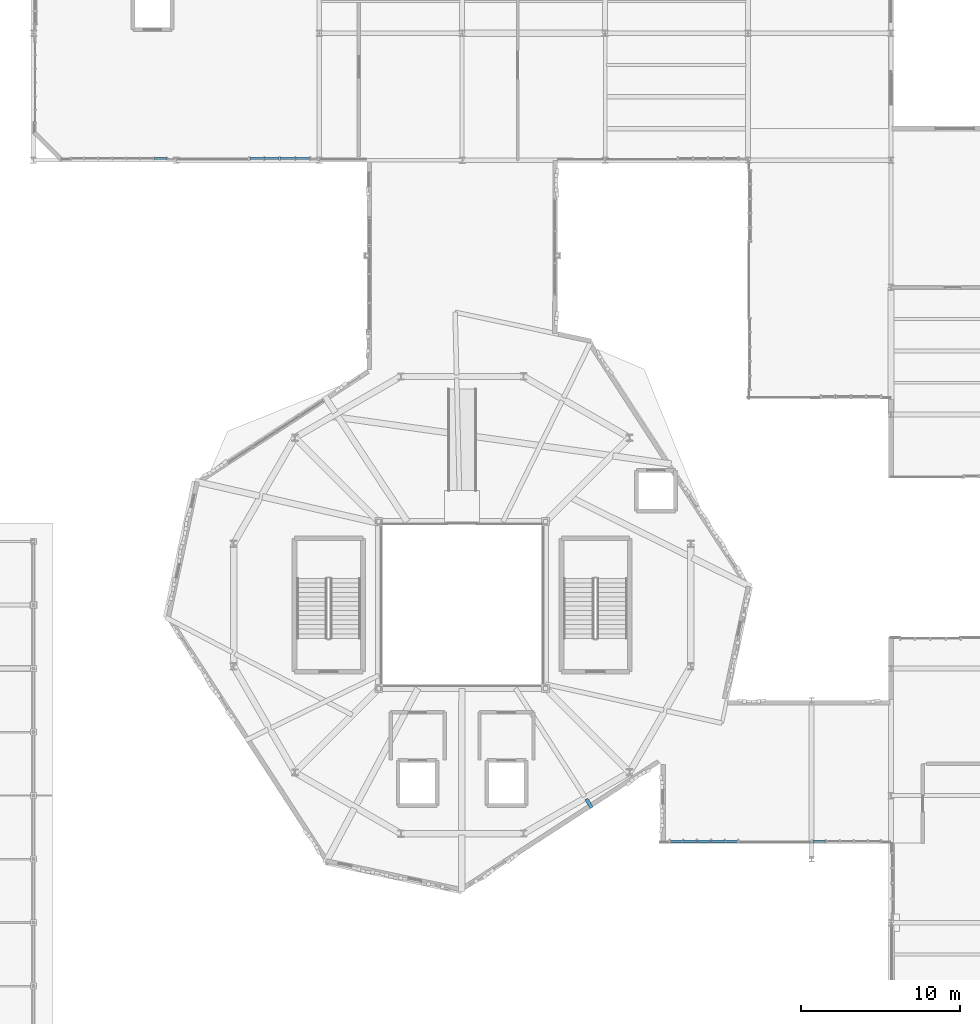
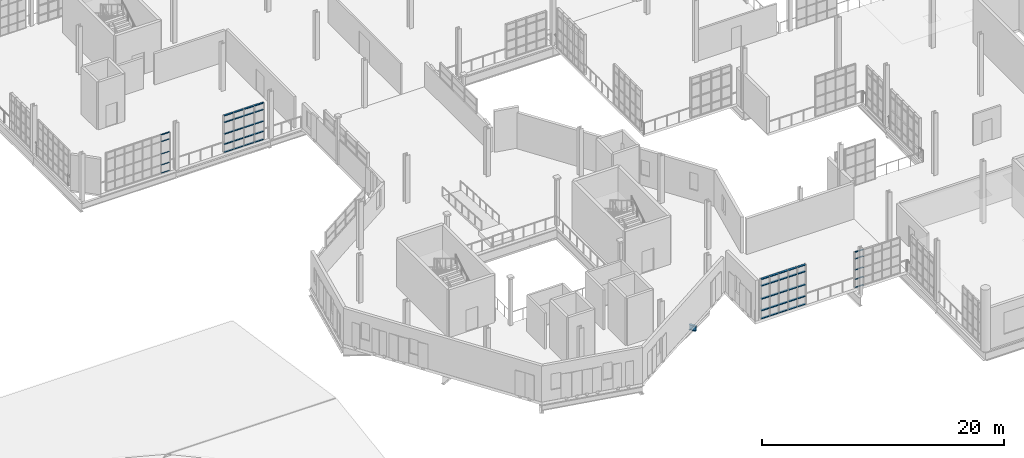
# One storey, part 75 of 118: 55 members, 1 beam, 4 elements without a shape of their own.
"""IFC4 building model written with IfcOpenShell, lengths in metres."""

from ifc_helpers import new_model, si_unit, direction, frame, origin, origin_2d, place, context, subcontext, project, spatial, hollow_rectangle, i_section, extrude, material, layer, layer_set, material_profile, profile_set, type_object, element, aggregate, save


model = new_model("IFC4")

# Units and contexts
model_context = context("Model", 3, precision=1e-05, world=origin(), true_north=direction((0.0, 1.0)))
body_context = subcontext(model_context, "Body", "Model", "MODEL_VIEW")
ifc_project = project(units=[si_unit("LENGTHUNIT", "METRE"), si_unit("AREAUNIT", "SQUARE_METRE"), si_unit("VOLUMEUNIT", "CUBIC_METRE"), si_unit("PLANEANGLEUNIT", "RADIAN"), si_unit("MASSUNIT", "GRAM", prefix="KILO"), si_unit("THERMODYNAMICTEMPERATUREUNIT", "KELVIN"), si_unit("POWERUNIT", "WATT")], contexts=[model_context])

# Site, building, storey
site_placement = place(None, origin())
site = spatial("IfcSite", under=ifc_project, at=site_placement, CompositionType="ELEMENT")
building_placement = place(site_placement, origin())
building = spatial("IfcBuilding", under=site, at=building_placement, Name="Zelmaris Science Centre", CompositionType="ELEMENT")
storey_placement = place(building_placement, frame((0.0, 0.0, 15.60009765625)))
storey = spatial("IfcBuildingStorey", under=building, at=storey_placement, Name="L03", CompositionType="ELEMENT", Elevation=15.60009765625)

# Curtain wall, members
ifc_material_1 = material(Name="Anodised architectural aluminium 6063-T6", Category="aluminium")
ifc_layer_1 = layer(ifc_material_1, 0.219970703125, Name="Anodised architectural aluminium 6063-T6")
ifc_layer_set_1 = layer_set([ifc_layer_1], Name="Anodised architectural aluminium 6063-T6")
curtain_wall_type_1 = type_object("IfcCurtainWallType", Name="Curtain Wall CW-04", PredefinedType="USERDEFINED", material=ifc_layer_set_1)
curtain_wall_1_placement = place(storey_placement, origin())
curtain_wall_1 = element("IfcCurtainWall", 1, at=curtain_wall_1_placement, inside=storey, type_object=curtain_wall_type_1, Name="L03 Unitised curtain wall 320", ObjectType="GLAZED CURTAIN WALL", PredefinedType="USERDEFINED")
ifc_material_profile_1 = material_profile(ifc_material_1, hollow_rectangle(XDim=0.06005859375, YDim=0.110107421875, WallThickness=0.0029296875, at=origin_2d()), Name="ALU-TRN-60X110")
ifc_profile_set_1 = profile_set([ifc_material_profile_1], Name="Anodised architectural aluminium 6063-T6")
member_type_1 = type_object("IfcMemberType", Name="ALU-TRN-60X110", PredefinedType="USERDEFINED", material=ifc_profile_set_1)
member_1_placement = place(storey_placement, frame((62.407958984375, 64.1201171875, 0.010986328125), z_axis=(-1.0, 0.0, 0.0), x_axis=(0.0, 0.0, 1.0)))
member_1 = element("IfcMember", 2, at=member_1_placement, type_object=member_type_1, Name="CW-04 transom 1.1", ObjectType="TRANSOM", PredefinedType="USERDEFINED", context=body_context, shape_type="SweptSolid", body=[
    extrude(hollow_rectangle(XDim=0.06005859375, YDim=0.110107421875, WallThickness=0.0029296875, at=origin_2d()), origin(), (0.0, 0.0, 1.0), 0.796142578125),
])
member_2_placement = place(storey_placement, frame((62.407958984375, 64.1201171875, 0.8349609375), z_axis=(-1.0, 0.0, 0.0), x_axis=(0.0, 0.0, 1.0)))
member_2 = element("IfcMember", 3, at=member_2_placement, type_object=member_type_1, Name="CW-04 transom 1.2", ObjectType="TRANSOM", PredefinedType="USERDEFINED", context=body_context, shape_type="SweptSolid", body=[
    extrude(hollow_rectangle(XDim=0.06005859375, YDim=0.110107421875, WallThickness=0.0029296875, at=origin_2d()), origin(), (0.0, 0.0, 1.0), 0.796142578125),
])
member_3_placement = place(storey_placement, frame((62.407958984375, 64.1201171875, 1.94384765625), z_axis=(-1.0, 0.0, 0.0), x_axis=(0.0, 0.0, 1.0)))
member_3 = element("IfcMember", 4, at=member_3_placement, type_object=member_type_1, Name="CW-04 transom 1.3", ObjectType="TRANSOM", PredefinedType="USERDEFINED", context=body_context, shape_type="SweptSolid", body=[
    extrude(hollow_rectangle(XDim=0.06005859375, YDim=0.110107421875, WallThickness=0.0029296875, at=origin_2d()), origin(), (0.0, 0.0, 1.0), 0.796142578125),
])
member_4_placement = place(storey_placement, frame((62.407958984375, 64.1201171875, 3.202880859375), z_axis=(-1.0, 0.0, 0.0), x_axis=(0.0, 0.0, 1.0)))
member_4 = element("IfcMember", 5, at=member_4_placement, type_object=member_type_1, Name="CW-04 transom 1.4", ObjectType="TRANSOM", PredefinedType="USERDEFINED", context=body_context, shape_type="SweptSolid", body=[
    extrude(hollow_rectangle(XDim=0.06005859375, YDim=0.110107421875, WallThickness=0.0029296875, at=origin_2d()), origin(), (0.0, 0.0, 1.0), 0.796142578125),
])
member_5_placement = place(storey_placement, frame((62.407958984375, 64.1201171875, 3.876953125), z_axis=(-1.0, 0.0, 0.0), x_axis=(0.0, 0.0, 1.0)))
member_5 = element("IfcMember", 6, at=member_5_placement, type_object=member_type_1, Name="CW-04 transom 1.5", ObjectType="TRANSOM", PredefinedType="USERDEFINED", context=body_context, shape_type="SweptSolid", body=[
    extrude(hollow_rectangle(XDim=0.06005859375, YDim=0.110107421875, WallThickness=0.0029296875, at=origin_2d()), origin(), (0.0, 0.0, 1.0), 0.796142578125),
])
aggregate(curtain_wall_1, [member_1, member_2, member_3, member_4, member_5])

ifc_layer_2 = layer(ifc_material_1, 0.2099609375, Name="Anodised architectural aluminium 6063-T6")
ifc_layer_set_2 = layer_set([ifc_layer_2], Name="Anodised architectural aluminium 6063-T6")
curtain_wall_type_2 = type_object("IfcCurtainWallType", Name="Curtain Wall CW-03", PredefinedType="USERDEFINED", material=ifc_layer_set_2)
curtain_wall_2_placement = place(storey_placement, origin())
curtain_wall_2 = element("IfcCurtainWall", 7, at=curtain_wall_2_placement, inside=storey, type_object=curtain_wall_type_2, Name="L03 Unitised curtain wall 311", ObjectType="GLAZED CURTAIN WALL", PredefinedType="USERDEFINED")
ifc_material_profile_2 = material_profile(ifc_material_1, hollow_rectangle(XDim=0.06494140625, YDim=0.1298828125, WallThickness=0.00341796875, at=origin_2d()), Name="ALU-TRN-65X130")
ifc_profile_set_2 = profile_set([ifc_material_profile_2], Name="Anodised architectural aluminium 6063-T6")
member_type_2 = type_object("IfcMemberType", Name="ALU-TRN-65X130", PredefinedType="USERDEFINED", material=ifc_profile_set_2)
member_6_placement = place(storey_placement, frame((103.872802734375, 21.1201171875, 0.013427734375), z_axis=(-1.0, 0.0, 0.0), x_axis=(0.0, 0.0, 1.0)))
member_6 = element("IfcMember", 8, at=member_6_placement, type_object=member_type_2, Name="CW-03 transom 5.1", ObjectType="TRANSOM", PredefinedType="USERDEFINED", context=body_context, shape_type="SweptSolid", body=[
    extrude(hollow_rectangle(XDim=0.06494140625, YDim=0.1298828125, WallThickness=0.00341796875, at=origin_2d()), origin(), (0.0, 0.0, 1.0), 0.7890625),
])
member_7_placement = place(storey_placement, frame((103.872802734375, 21.1201171875, 0.8349609375), z_axis=(-1.0, 0.0, 0.0), x_axis=(0.0, 0.0, 1.0)))
member_7 = element("IfcMember", 9, at=member_7_placement, type_object=member_type_2, Name="CW-03 transom 5.2", ObjectType="TRANSOM", PredefinedType="USERDEFINED", context=body_context, shape_type="SweptSolid", body=[
    extrude(hollow_rectangle(XDim=0.06494140625, YDim=0.1298828125, WallThickness=0.00341796875, at=origin_2d()), origin(), (0.0, 0.0, 1.0), 0.7890625),
])
member_8_placement = place(storey_placement, frame((103.872802734375, 21.1201171875, 1.79296875), z_axis=(-1.0, 0.0, 0.0), x_axis=(0.0, 0.0, 1.0)))
member_8 = element("IfcMember", 10, at=member_8_placement, type_object=member_type_2, Name="CW-03 transom 5.3", ObjectType="TRANSOM", PredefinedType="USERDEFINED", context=body_context, shape_type="SweptSolid", body=[
    extrude(hollow_rectangle(XDim=0.06494140625, YDim=0.1298828125, WallThickness=0.00341796875, at=origin_2d()), origin(), (0.0, 0.0, 1.0), 0.7890625),
])
member_9_placement = place(storey_placement, frame((103.872802734375, 21.1201171875, 2.90087890625), z_axis=(-1.0, 0.0, 0.0), x_axis=(0.0, 0.0, 1.0)))
member_9 = element("IfcMember", 11, at=member_9_placement, type_object=member_type_2, Name="CW-03 transom 5.4", ObjectType="TRANSOM", PredefinedType="USERDEFINED", context=body_context, shape_type="SweptSolid", body=[
    extrude(hollow_rectangle(XDim=0.06494140625, YDim=0.1298828125, WallThickness=0.00341796875, at=origin_2d()), origin(), (0.0, 0.0, 1.0), 0.7890625),
])
member_10_placement = place(storey_placement, frame((103.872802734375, 21.1201171875, 3.572509765625), z_axis=(-1.0, 0.0, 0.0), x_axis=(0.0, 0.0, 1.0)))
member_10 = element("IfcMember", 12, at=member_10_placement, type_object=member_type_2, Name="CW-03 transom 5.5", ObjectType="TRANSOM", PredefinedType="USERDEFINED", context=body_context, shape_type="SweptSolid", body=[
    extrude(hollow_rectangle(XDim=0.06494140625, YDim=0.1298828125, WallThickness=0.00341796875, at=origin_2d()), origin(), (0.0, 0.0, 1.0), 0.7890625),
])
aggregate(curtain_wall_2, [member_6, member_7, member_8, member_9, member_10])

ifc_layer_3 = layer(ifc_material_1, 0.199951171875, Name="Anodised architectural aluminium 6063-T6")
ifc_layer_set_3 = layer_set([ifc_layer_3], Name="Anodised architectural aluminium 6063-T6")
curtain_wall_type_3 = type_object("IfcCurtainWallType", Name="Curtain Wall CW-02", PredefinedType="USERDEFINED", material=ifc_layer_set_3)
curtain_wall_3_placement = place(storey_placement, origin())
curtain_wall_3 = element("IfcCurtainWall", 13, at=curtain_wall_3_placement, inside=storey, type_object=curtain_wall_type_3, Name="L03 Unitised curtain wall 318", ObjectType="GLAZED CURTAIN WALL", PredefinedType="USERDEFINED")
ifc_material_profile_3 = material_profile(ifc_material_1, hollow_rectangle(XDim=0.074951171875, YDim=0.159912109375, WallThickness=0.00390625, at=origin_2d()), Name="ALU-TRN-75X160")
ifc_profile_set_3 = profile_set([ifc_material_profile_3], Name="Anodised architectural aluminium 6063-T6")
member_type_3 = type_object("IfcMemberType", Name="ALU-TRN-75X160", PredefinedType="USERDEFINED", material=ifc_profile_set_3)
member_11_placement = place(storey_placement, frame((71.39306640625, 64.1201171875, 0.018310546875), z_axis=(-1.0, 0.0, 0.0), x_axis=(0.0, 0.0, 1.0)))
member_11 = element("IfcMember", 14, at=member_11_placement, type_object=member_type_3, Name="CW-02 transom 1.1", ObjectType="TRANSOM", PredefinedType="USERDEFINED", context=body_context, shape_type="SweptSolid", body=[
    extrude(hollow_rectangle(XDim=0.074951171875, YDim=0.159912109375, WallThickness=0.00390625, at=origin_2d()), origin(), (0.0, 0.0, 1.0), 0.87451171875),
])
member_12_placement = place(storey_placement, frame((71.39306640625, 64.1201171875, 0.8349609375), z_axis=(-1.0, 0.0, 0.0), x_axis=(0.0, 0.0, 1.0)))
member_12 = element("IfcMember", 15, at=member_12_placement, type_object=member_type_3, Name="CW-02 transom 1.2", ObjectType="TRANSOM", PredefinedType="USERDEFINED", context=body_context, shape_type="SweptSolid", body=[
    extrude(hollow_rectangle(XDim=0.074951171875, YDim=0.159912109375, WallThickness=0.00390625, at=origin_2d()), origin(), (0.0, 0.0, 1.0), 0.87451171875),
])
member_13_placement = place(storey_placement, frame((71.39306640625, 64.1201171875, 1.861328125), z_axis=(-1.0, 0.0, 0.0), x_axis=(0.0, 0.0, 1.0)))
member_13 = element("IfcMember", 16, at=member_13_placement, type_object=member_type_3, Name="CW-02 transom 1.3", ObjectType="TRANSOM", PredefinedType="USERDEFINED", context=body_context, shape_type="SweptSolid", body=[
    extrude(hollow_rectangle(XDim=0.074951171875, YDim=0.159912109375, WallThickness=0.00390625, at=origin_2d()), origin(), (0.0, 0.0, 1.0), 0.87451171875),
])
member_14_placement = place(storey_placement, frame((71.39306640625, 64.1201171875, 3.037841796875), z_axis=(-1.0, 0.0, 0.0), x_axis=(0.0, 0.0, 1.0)))
member_14 = element("IfcMember", 17, at=member_14_placement, type_object=member_type_3, Name="CW-02 transom 1.4", ObjectType="TRANSOM", PredefinedType="USERDEFINED", context=body_context, shape_type="SweptSolid", body=[
    extrude(hollow_rectangle(XDim=0.074951171875, YDim=0.159912109375, WallThickness=0.00390625, at=origin_2d()), origin(), (0.0, 0.0, 1.0), 0.87451171875),
])
member_15_placement = place(storey_placement, frame((71.39306640625, 64.1201171875, 3.704345703125), z_axis=(-1.0, 0.0, 0.0), x_axis=(0.0, 0.0, 1.0)))
member_15 = element("IfcMember", 18, at=member_15_placement, type_object=member_type_3, Name="CW-02 transom 1.5", ObjectType="TRANSOM", PredefinedType="USERDEFINED", context=body_context, shape_type="SweptSolid", body=[
    extrude(hollow_rectangle(XDim=0.074951171875, YDim=0.159912109375, WallThickness=0.00390625, at=origin_2d()), origin(), (0.0, 0.0, 1.0), 0.87451171875),
])
member_16_placement = place(storey_placement, frame((70.451416015625, 64.1201171875, 0.018310546875), z_axis=(-1.0, 0.0, 0.0), x_axis=(0.0, 0.0, 1.0)))
member_16 = element("IfcMember", 19, at=member_16_placement, type_object=member_type_3, Name="CW-02 transom 2.1", ObjectType="TRANSOM", PredefinedType="USERDEFINED", context=body_context, shape_type="SweptSolid", body=[
    extrude(hollow_rectangle(XDim=0.074951171875, YDim=0.159912109375, WallThickness=0.00390625, at=origin_2d()), origin(), (0.0, 0.0, 1.0), 0.907958984375),
])
member_17_placement = place(storey_placement, frame((70.451416015625, 64.1201171875, 0.8349609375), z_axis=(-1.0, 0.0, 0.0), x_axis=(0.0, 0.0, 1.0)))
member_17 = element("IfcMember", 20, at=member_17_placement, type_object=member_type_3, Name="CW-02 transom 2.2", ObjectType="TRANSOM", PredefinedType="USERDEFINED", context=body_context, shape_type="SweptSolid", body=[
    extrude(hollow_rectangle(XDim=0.074951171875, YDim=0.159912109375, WallThickness=0.00390625, at=origin_2d()), origin(), (0.0, 0.0, 1.0), 0.907958984375),
])
member_18_placement = place(storey_placement, frame((70.451416015625, 64.1201171875, 1.861328125), z_axis=(-1.0, 0.0, 0.0), x_axis=(0.0, 0.0, 1.0)))
member_18 = element("IfcMember", 21, at=member_18_placement, type_object=member_type_3, Name="CW-02 transom 2.3", ObjectType="TRANSOM", PredefinedType="USERDEFINED", context=body_context, shape_type="SweptSolid", body=[
    extrude(hollow_rectangle(XDim=0.074951171875, YDim=0.159912109375, WallThickness=0.00390625, at=origin_2d()), origin(), (0.0, 0.0, 1.0), 0.907958984375),
])
member_19_placement = place(storey_placement, frame((70.451416015625, 64.1201171875, 3.037841796875), z_axis=(-1.0, 0.0, 0.0), x_axis=(0.0, 0.0, 1.0)))
member_19 = element("IfcMember", 22, at=member_19_placement, type_object=member_type_3, Name="CW-02 transom 2.4", ObjectType="TRANSOM", PredefinedType="USERDEFINED", context=body_context, shape_type="SweptSolid", body=[
    extrude(hollow_rectangle(XDim=0.074951171875, YDim=0.159912109375, WallThickness=0.00390625, at=origin_2d()), origin(), (0.0, 0.0, 1.0), 0.907958984375),
])
member_20_placement = place(storey_placement, frame((70.451416015625, 64.1201171875, 3.704345703125), z_axis=(-1.0, 0.0, 0.0), x_axis=(0.0, 0.0, 1.0)))
member_20 = element("IfcMember", 23, at=member_20_placement, type_object=member_type_3, Name="CW-02 transom 2.5", ObjectType="TRANSOM", PredefinedType="USERDEFINED", context=body_context, shape_type="SweptSolid", body=[
    extrude(hollow_rectangle(XDim=0.074951171875, YDim=0.159912109375, WallThickness=0.00390625, at=origin_2d()), origin(), (0.0, 0.0, 1.0), 0.907958984375),
])
member_21_placement = place(storey_placement, frame((69.4765625, 64.1201171875, 0.018310546875), z_axis=(-1.0, 0.0, 0.0), x_axis=(0.0, 0.0, 1.0)))
member_21 = element("IfcMember", 24, at=member_21_placement, type_object=member_type_3, Name="CW-02 transom 3.1", ObjectType="TRANSOM", PredefinedType="USERDEFINED", context=body_context, shape_type="SweptSolid", body=[
    extrude(hollow_rectangle(XDim=0.074951171875, YDim=0.159912109375, WallThickness=0.00390625, at=origin_2d()), origin(), (0.0, 0.0, 1.0), 0.907958984375),
])
member_22_placement = place(storey_placement, frame((69.4765625, 64.1201171875, 0.8349609375), z_axis=(-1.0, 0.0, 0.0), x_axis=(0.0, 0.0, 1.0)))
member_22 = element("IfcMember", 25, at=member_22_placement, type_object=member_type_3, Name="CW-02 transom 3.2", ObjectType="TRANSOM", PredefinedType="USERDEFINED", context=body_context, shape_type="SweptSolid", body=[
    extrude(hollow_rectangle(XDim=0.074951171875, YDim=0.159912109375, WallThickness=0.00390625, at=origin_2d()), origin(), (0.0, 0.0, 1.0), 0.907958984375),
])
member_23_placement = place(storey_placement, frame((69.4765625, 64.1201171875, 1.861328125), z_axis=(-1.0, 0.0, 0.0), x_axis=(0.0, 0.0, 1.0)))
member_23 = element("IfcMember", 26, at=member_23_placement, type_object=member_type_3, Name="CW-02 transom 3.3", ObjectType="TRANSOM", PredefinedType="USERDEFINED", context=body_context, shape_type="SweptSolid", body=[
    extrude(hollow_rectangle(XDim=0.074951171875, YDim=0.159912109375, WallThickness=0.00390625, at=origin_2d()), origin(), (0.0, 0.0, 1.0), 0.907958984375),
])
member_24_placement = place(storey_placement, frame((69.4765625, 64.1201171875, 3.037841796875), z_axis=(-1.0, 0.0, 0.0), x_axis=(0.0, 0.0, 1.0)))
member_24 = element("IfcMember", 27, at=member_24_placement, type_object=member_type_3, Name="CW-02 transom 3.4", ObjectType="TRANSOM", PredefinedType="USERDEFINED", context=body_context, shape_type="SweptSolid", body=[
    extrude(hollow_rectangle(XDim=0.074951171875, YDim=0.159912109375, WallThickness=0.00390625, at=origin_2d()), origin(), (0.0, 0.0, 1.0), 0.907958984375),
])
member_25_placement = place(storey_placement, frame((69.4765625, 64.1201171875, 3.704345703125), z_axis=(-1.0, 0.0, 0.0), x_axis=(0.0, 0.0, 1.0)))
member_25 = element("IfcMember", 28, at=member_25_placement, type_object=member_type_3, Name="CW-02 transom 3.5", ObjectType="TRANSOM", PredefinedType="USERDEFINED", context=body_context, shape_type="SweptSolid", body=[
    extrude(hollow_rectangle(XDim=0.074951171875, YDim=0.159912109375, WallThickness=0.00390625, at=origin_2d()), origin(), (0.0, 0.0, 1.0), 0.907958984375),
])
member_26_placement = place(storey_placement, frame((68.50146484375, 64.1201171875, 0.018310546875), z_axis=(-1.0, 0.0, 0.0), x_axis=(0.0, 0.0, 1.0)))
member_26 = element("IfcMember", 29, at=member_26_placement, type_object=member_type_3, Name="CW-02 transom 4.1", ObjectType="TRANSOM", PredefinedType="USERDEFINED", context=body_context, shape_type="SweptSolid", body=[
    extrude(hollow_rectangle(XDim=0.074951171875, YDim=0.159912109375, WallThickness=0.00390625, at=origin_2d()), origin(), (0.0, 0.0, 1.0), 0.87451171875),
])
member_27_placement = place(storey_placement, frame((68.50146484375, 64.1201171875, 0.8349609375), z_axis=(-1.0, 0.0, 0.0), x_axis=(0.0, 0.0, 1.0)))
member_27 = element("IfcMember", 30, at=member_27_placement, type_object=member_type_3, Name="CW-02 transom 4.2", ObjectType="TRANSOM", PredefinedType="USERDEFINED", context=body_context, shape_type="SweptSolid", body=[
    extrude(hollow_rectangle(XDim=0.074951171875, YDim=0.159912109375, WallThickness=0.00390625, at=origin_2d()), origin(), (0.0, 0.0, 1.0), 0.87451171875),
])
member_28_placement = place(storey_placement, frame((68.50146484375, 64.1201171875, 1.861328125), z_axis=(-1.0, 0.0, 0.0), x_axis=(0.0, 0.0, 1.0)))
member_28 = element("IfcMember", 31, at=member_28_placement, type_object=member_type_3, Name="CW-02 transom 4.3", ObjectType="TRANSOM", PredefinedType="USERDEFINED", context=body_context, shape_type="SweptSolid", body=[
    extrude(hollow_rectangle(XDim=0.074951171875, YDim=0.159912109375, WallThickness=0.00390625, at=origin_2d()), origin(), (0.0, 0.0, 1.0), 0.87451171875),
])
member_29_placement = place(storey_placement, frame((68.50146484375, 64.1201171875, 3.037841796875), z_axis=(-1.0, 0.0, 0.0), x_axis=(0.0, 0.0, 1.0)))
member_29 = element("IfcMember", 32, at=member_29_placement, type_object=member_type_3, Name="CW-02 transom 4.4", ObjectType="TRANSOM", PredefinedType="USERDEFINED", context=body_context, shape_type="SweptSolid", body=[
    extrude(hollow_rectangle(XDim=0.074951171875, YDim=0.159912109375, WallThickness=0.00390625, at=origin_2d()), origin(), (0.0, 0.0, 1.0), 0.87451171875),
])
member_30_placement = place(storey_placement, frame((68.50146484375, 64.1201171875, 3.704345703125), z_axis=(-1.0, 0.0, 0.0), x_axis=(0.0, 0.0, 1.0)))
member_30 = element("IfcMember", 33, at=member_30_placement, type_object=member_type_3, Name="CW-02 transom 4.5", ObjectType="TRANSOM", PredefinedType="USERDEFINED", context=body_context, shape_type="SweptSolid", body=[
    extrude(hollow_rectangle(XDim=0.074951171875, YDim=0.159912109375, WallThickness=0.00390625, at=origin_2d()), origin(), (0.0, 0.0, 1.0), 0.87451171875),
])
aggregate(curtain_wall_3, [member_11, member_12, member_13, member_14, member_15, member_16, member_17, member_18, member_19, member_20, member_21, member_22, member_23, member_24, member_25, member_26, member_27, member_28, member_29, member_30])

ifc_layer_4 = layer(ifc_material_1, 0.18994140625, Name="Anodised architectural aluminium 6063-T6")
ifc_layer_set_4 = layer_set([ifc_layer_4], Name="Anodised architectural aluminium 6063-T6")
curtain_wall_type_4 = type_object("IfcCurtainWallType", Name="Curtain Wall CW-01", PredefinedType="USERDEFINED", material=ifc_layer_set_4)
curtain_wall_4_placement = place(storey_placement, origin())
curtain_wall_4 = element("IfcCurtainWall", 34, at=curtain_wall_4_placement, inside=storey, type_object=curtain_wall_type_4, Name="L03 Unitised curtain wall 313", ObjectType="GLAZED CURTAIN WALL", PredefinedType="USERDEFINED")
ifc_material_profile_4 = material_profile(ifc_material_1, hollow_rectangle(XDim=0.080078125, YDim=0.18994140625, WallThickness=0.00439453125, at=origin_2d()), Name="ALU-TRN-80X190")
ifc_profile_set_4 = profile_set([ifc_material_profile_4], Name="Anodised architectural aluminium 6063-T6")
member_type_4 = type_object("IfcMemberType", Name="ALU-TRN-80X190", PredefinedType="USERDEFINED", material=ifc_profile_set_4)
member_31_placement = place(storey_placement, frame((98.34130859375, 21.1201171875, 0.02099609375), z_axis=(-1.0, 0.0, 0.0), x_axis=(0.0, 0.0, 1.0)))
member_31 = element("IfcMember", 35, at=member_31_placement, type_object=member_type_4, Name="CW-01 transom 1.1", ObjectType="TRANSOM", PredefinedType="USERDEFINED", context=body_context, shape_type="SweptSolid", body=[
    extrude(hollow_rectangle(XDim=0.080078125, YDim=0.18994140625, WallThickness=0.00439453125, at=origin_2d()), origin(), (0.0, 0.0, 1.0), 0.7666015625),
])
member_32_placement = place(storey_placement, frame((98.34130859375, 21.1201171875, 0.8349609375), z_axis=(-1.0, 0.0, 0.0), x_axis=(0.0, 0.0, 1.0)))
member_32 = element("IfcMember", 36, at=member_32_placement, type_object=member_type_4, Name="CW-01 transom 1.2", ObjectType="TRANSOM", PredefinedType="USERDEFINED", context=body_context, shape_type="SweptSolid", body=[
    extrude(hollow_rectangle(XDim=0.080078125, YDim=0.18994140625, WallThickness=0.00439453125, at=origin_2d()), origin(), (0.0, 0.0, 1.0), 0.7666015625),
])
member_33_placement = place(storey_placement, frame((98.34130859375, 21.1201171875, 2.00732421875), z_axis=(-1.0, 0.0, 0.0), x_axis=(0.0, 0.0, 1.0)))
member_33 = element("IfcMember", 37, at=member_33_placement, type_object=member_type_4, Name="CW-01 transom 1.3", ObjectType="TRANSOM", PredefinedType="USERDEFINED", context=body_context, shape_type="SweptSolid", body=[
    extrude(hollow_rectangle(XDim=0.080078125, YDim=0.18994140625, WallThickness=0.00439453125, at=origin_2d()), origin(), (0.0, 0.0, 1.0), 0.7666015625),
])
member_34_placement = place(storey_placement, frame((98.34130859375, 21.1201171875, 3.329833984375), z_axis=(-1.0, 0.0, 0.0), x_axis=(0.0, 0.0, 1.0)))
member_34 = element("IfcMember", 38, at=member_34_placement, type_object=member_type_4, Name="CW-01 transom 1.4", ObjectType="TRANSOM", PredefinedType="USERDEFINED", context=body_context, shape_type="SweptSolid", body=[
    extrude(hollow_rectangle(XDim=0.080078125, YDim=0.18994140625, WallThickness=0.00439453125, at=origin_2d()), origin(), (0.0, 0.0, 1.0), 0.7666015625),
])
member_35_placement = place(storey_placement, frame((98.34130859375, 21.1201171875, 3.993896484375), z_axis=(-1.0, 0.0, 0.0), x_axis=(0.0, 0.0, 1.0)))
member_35 = element("IfcMember", 39, at=member_35_placement, type_object=member_type_4, Name="CW-01 transom 1.5", ObjectType="TRANSOM", PredefinedType="USERDEFINED", context=body_context, shape_type="SweptSolid", body=[
    extrude(hollow_rectangle(XDim=0.080078125, YDim=0.18994140625, WallThickness=0.00439453125, at=origin_2d()), origin(), (0.0, 0.0, 1.0), 0.7666015625),
])
member_36_placement = place(storey_placement, frame((97.502685546875, 21.1201171875, 0.02099609375), z_axis=(-1.0, 0.0, 0.0), x_axis=(0.0, 0.0, 1.0)))
member_36 = element("IfcMember", 40, at=member_36_placement, type_object=member_type_4, Name="CW-01 transom 2.1", ObjectType="TRANSOM", PredefinedType="USERDEFINED", context=body_context, shape_type="SweptSolid", body=[
    extrude(hollow_rectangle(XDim=0.080078125, YDim=0.18994140625, WallThickness=0.00439453125, at=origin_2d()), origin(), (0.0, 0.0, 1.0), 0.802490234375),
])
member_37_placement = place(storey_placement, frame((97.502685546875, 21.1201171875, 0.8349609375), z_axis=(-1.0, 0.0, 0.0), x_axis=(0.0, 0.0, 1.0)))
member_37 = element("IfcMember", 41, at=member_37_placement, type_object=member_type_4, Name="CW-01 transom 2.2", ObjectType="TRANSOM", PredefinedType="USERDEFINED", context=body_context, shape_type="SweptSolid", body=[
    extrude(hollow_rectangle(XDim=0.080078125, YDim=0.18994140625, WallThickness=0.00439453125, at=origin_2d()), origin(), (0.0, 0.0, 1.0), 0.802490234375),
])
member_38_placement = place(storey_placement, frame((97.502685546875, 21.1201171875, 2.00732421875), z_axis=(-1.0, 0.0, 0.0), x_axis=(0.0, 0.0, 1.0)))
member_38 = element("IfcMember", 42, at=member_38_placement, type_object=member_type_4, Name="CW-01 transom 2.3", ObjectType="TRANSOM", PredefinedType="USERDEFINED", context=body_context, shape_type="SweptSolid", body=[
    extrude(hollow_rectangle(XDim=0.080078125, YDim=0.18994140625, WallThickness=0.00439453125, at=origin_2d()), origin(), (0.0, 0.0, 1.0), 0.802490234375),
])
member_39_placement = place(storey_placement, frame((97.502685546875, 21.1201171875, 3.329833984375), z_axis=(-1.0, 0.0, 0.0), x_axis=(0.0, 0.0, 1.0)))
member_39 = element("IfcMember", 43, at=member_39_placement, type_object=member_type_4, Name="CW-01 transom 2.4", ObjectType="TRANSOM", PredefinedType="USERDEFINED", context=body_context, shape_type="SweptSolid", body=[
    extrude(hollow_rectangle(XDim=0.080078125, YDim=0.18994140625, WallThickness=0.00439453125, at=origin_2d()), origin(), (0.0, 0.0, 1.0), 0.802490234375),
])
member_40_placement = place(storey_placement, frame((97.502685546875, 21.1201171875, 3.993896484375), z_axis=(-1.0, 0.0, 0.0), x_axis=(0.0, 0.0, 1.0)))
member_40 = element("IfcMember", 44, at=member_40_placement, type_object=member_type_4, Name="CW-01 transom 2.5", ObjectType="TRANSOM", PredefinedType="USERDEFINED", context=body_context, shape_type="SweptSolid", body=[
    extrude(hollow_rectangle(XDim=0.080078125, YDim=0.18994140625, WallThickness=0.00439453125, at=origin_2d()), origin(), (0.0, 0.0, 1.0), 0.802490234375),
])
member_41_placement = place(storey_placement, frame((96.628173828125, 21.1201171875, 0.02099609375), z_axis=(-1.0, 0.0, 0.0), x_axis=(0.0, 0.0, 1.0)))
member_41 = element("IfcMember", 45, at=member_41_placement, type_object=member_type_4, Name="CW-01 transom 3.1", ObjectType="TRANSOM", PredefinedType="USERDEFINED", context=body_context, shape_type="SweptSolid", body=[
    extrude(hollow_rectangle(XDim=0.080078125, YDim=0.18994140625, WallThickness=0.00439453125, at=origin_2d()), origin(), (0.0, 0.0, 1.0), 0.802734375),
])
member_42_placement = place(storey_placement, frame((96.628173828125, 21.1201171875, 0.8349609375), z_axis=(-1.0, 0.0, 0.0), x_axis=(0.0, 0.0, 1.0)))
member_42 = element("IfcMember", 46, at=member_42_placement, type_object=member_type_4, Name="CW-01 transom 3.2", ObjectType="TRANSOM", PredefinedType="USERDEFINED", context=body_context, shape_type="SweptSolid", body=[
    extrude(hollow_rectangle(XDim=0.080078125, YDim=0.18994140625, WallThickness=0.00439453125, at=origin_2d()), origin(), (0.0, 0.0, 1.0), 0.802734375),
])
member_43_placement = place(storey_placement, frame((96.628173828125, 21.1201171875, 2.00732421875), z_axis=(-1.0, 0.0, 0.0), x_axis=(0.0, 0.0, 1.0)))
member_43 = element("IfcMember", 47, at=member_43_placement, type_object=member_type_4, Name="CW-01 transom 3.3", ObjectType="TRANSOM", PredefinedType="USERDEFINED", context=body_context, shape_type="SweptSolid", body=[
    extrude(hollow_rectangle(XDim=0.080078125, YDim=0.18994140625, WallThickness=0.00439453125, at=origin_2d()), origin(), (0.0, 0.0, 1.0), 0.802734375),
])
member_44_placement = place(storey_placement, frame((96.628173828125, 21.1201171875, 3.329833984375), z_axis=(-1.0, 0.0, 0.0), x_axis=(0.0, 0.0, 1.0)))
member_44 = element("IfcMember", 48, at=member_44_placement, type_object=member_type_4, Name="CW-01 transom 3.4", ObjectType="TRANSOM", PredefinedType="USERDEFINED", context=body_context, shape_type="SweptSolid", body=[
    extrude(hollow_rectangle(XDim=0.080078125, YDim=0.18994140625, WallThickness=0.00439453125, at=origin_2d()), origin(), (0.0, 0.0, 1.0), 0.802734375),
])
member_45_placement = place(storey_placement, frame((96.628173828125, 21.1201171875, 3.993896484375), z_axis=(-1.0, 0.0, 0.0), x_axis=(0.0, 0.0, 1.0)))
member_45 = element("IfcMember", 49, at=member_45_placement, type_object=member_type_4, Name="CW-01 transom 3.5", ObjectType="TRANSOM", PredefinedType="USERDEFINED", context=body_context, shape_type="SweptSolid", body=[
    extrude(hollow_rectangle(XDim=0.080078125, YDim=0.18994140625, WallThickness=0.00439453125, at=origin_2d()), origin(), (0.0, 0.0, 1.0), 0.802734375),
])
member_46_placement = place(storey_placement, frame((95.75341796875, 21.1201171875, 0.02099609375), z_axis=(-1.0, 0.0, 0.0), x_axis=(0.0, 0.0, 1.0)))
member_46 = element("IfcMember", 50, at=member_46_placement, type_object=member_type_4, Name="CW-01 transom 4.1", ObjectType="TRANSOM", PredefinedType="USERDEFINED", context=body_context, shape_type="SweptSolid", body=[
    extrude(hollow_rectangle(XDim=0.080078125, YDim=0.18994140625, WallThickness=0.00439453125, at=origin_2d()), origin(), (0.0, 0.0, 1.0), 0.802734375),
])
member_47_placement = place(storey_placement, frame((95.75341796875, 21.1201171875, 0.8349609375), z_axis=(-1.0, 0.0, 0.0), x_axis=(0.0, 0.0, 1.0)))
member_47 = element("IfcMember", 51, at=member_47_placement, type_object=member_type_4, Name="CW-01 transom 4.2", ObjectType="TRANSOM", PredefinedType="USERDEFINED", context=body_context, shape_type="SweptSolid", body=[
    extrude(hollow_rectangle(XDim=0.080078125, YDim=0.18994140625, WallThickness=0.00439453125, at=origin_2d()), origin(), (0.0, 0.0, 1.0), 0.802734375),
])
member_48_placement = place(storey_placement, frame((95.75341796875, 21.1201171875, 2.00732421875), z_axis=(-1.0, 0.0, 0.0), x_axis=(0.0, 0.0, 1.0)))
member_48 = element("IfcMember", 52, at=member_48_placement, type_object=member_type_4, Name="CW-01 transom 4.3", ObjectType="TRANSOM", PredefinedType="USERDEFINED", context=body_context, shape_type="SweptSolid", body=[
    extrude(hollow_rectangle(XDim=0.080078125, YDim=0.18994140625, WallThickness=0.00439453125, at=origin_2d()), origin(), (0.0, 0.0, 1.0), 0.802734375),
])
member_49_placement = place(storey_placement, frame((95.75341796875, 21.1201171875, 3.329833984375), z_axis=(-1.0, 0.0, 0.0), x_axis=(0.0, 0.0, 1.0)))
member_49 = element("IfcMember", 53, at=member_49_placement, type_object=member_type_4, Name="CW-01 transom 4.4", ObjectType="TRANSOM", PredefinedType="USERDEFINED", context=body_context, shape_type="SweptSolid", body=[
    extrude(hollow_rectangle(XDim=0.080078125, YDim=0.18994140625, WallThickness=0.00439453125, at=origin_2d()), origin(), (0.0, 0.0, 1.0), 0.802734375),
])
member_50_placement = place(storey_placement, frame((95.75341796875, 21.1201171875, 3.993896484375), z_axis=(-1.0, 0.0, 0.0), x_axis=(0.0, 0.0, 1.0)))
member_50 = element("IfcMember", 54, at=member_50_placement, type_object=member_type_4, Name="CW-01 transom 4.5", ObjectType="TRANSOM", PredefinedType="USERDEFINED", context=body_context, shape_type="SweptSolid", body=[
    extrude(hollow_rectangle(XDim=0.080078125, YDim=0.18994140625, WallThickness=0.00439453125, at=origin_2d()), origin(), (0.0, 0.0, 1.0), 0.802734375),
])
member_51_placement = place(storey_placement, frame((94.878662109375, 21.1201171875, 0.02099609375), z_axis=(-1.0, 0.0, 0.0), x_axis=(0.0, 0.0, 1.0)))
member_51 = element("IfcMember", 55, at=member_51_placement, type_object=member_type_4, Name="CW-01 transom 5.1", ObjectType="TRANSOM", PredefinedType="USERDEFINED", context=body_context, shape_type="SweptSolid", body=[
    extrude(hollow_rectangle(XDim=0.080078125, YDim=0.18994140625, WallThickness=0.00439453125, at=origin_2d()), origin(), (0.0, 0.0, 1.0), 0.7666015625),
])
member_52_placement = place(storey_placement, frame((94.878662109375, 21.1201171875, 0.8349609375), z_axis=(-1.0, 0.0, 0.0), x_axis=(0.0, 0.0, 1.0)))
member_52 = element("IfcMember", 56, at=member_52_placement, type_object=member_type_4, Name="CW-01 transom 5.2", ObjectType="TRANSOM", PredefinedType="USERDEFINED", context=body_context, shape_type="SweptSolid", body=[
    extrude(hollow_rectangle(XDim=0.080078125, YDim=0.18994140625, WallThickness=0.00439453125, at=origin_2d()), origin(), (0.0, 0.0, 1.0), 0.7666015625),
])
member_53_placement = place(storey_placement, frame((94.878662109375, 21.1201171875, 2.00732421875), z_axis=(-1.0, 0.0, 0.0), x_axis=(0.0, 0.0, 1.0)))
member_53 = element("IfcMember", 57, at=member_53_placement, type_object=member_type_4, Name="CW-01 transom 5.3", ObjectType="TRANSOM", PredefinedType="USERDEFINED", context=body_context, shape_type="SweptSolid", body=[
    extrude(hollow_rectangle(XDim=0.080078125, YDim=0.18994140625, WallThickness=0.00439453125, at=origin_2d()), origin(), (0.0, 0.0, 1.0), 0.7666015625),
])
member_54_placement = place(storey_placement, frame((94.878662109375, 21.1201171875, 3.329833984375), z_axis=(-1.0, 0.0, 0.0), x_axis=(0.0, 0.0, 1.0)))
member_54 = element("IfcMember", 58, at=member_54_placement, type_object=member_type_4, Name="CW-01 transom 5.4", ObjectType="TRANSOM", PredefinedType="USERDEFINED", context=body_context, shape_type="SweptSolid", body=[
    extrude(hollow_rectangle(XDim=0.080078125, YDim=0.18994140625, WallThickness=0.00439453125, at=origin_2d()), origin(), (0.0, 0.0, 1.0), 0.7666015625),
])
member_55_placement = place(storey_placement, frame((94.878662109375, 21.1201171875, 3.993896484375), z_axis=(-1.0, 0.0, 0.0), x_axis=(0.0, 0.0, 1.0)))
member_55 = element("IfcMember", 59, at=member_55_placement, type_object=member_type_4, Name="CW-01 transom 5.5", ObjectType="TRANSOM", PredefinedType="USERDEFINED", context=body_context, shape_type="SweptSolid", body=[
    extrude(hollow_rectangle(XDim=0.080078125, YDim=0.18994140625, WallThickness=0.00439453125, at=origin_2d()), origin(), (0.0, 0.0, 1.0), 0.7666015625),
])
aggregate(curtain_wall_4, [member_31, member_32, member_33, member_34, member_35, member_36, member_37, member_38, member_39, member_40, member_41, member_42, member_43, member_44, member_45, member_46, member_47, member_48, member_49, member_50, member_51, member_52, member_53, member_54, member_55])

# Beam
ifc_material_2 = material(Name="Steel ASTM A992 Grade 50", Category="steel")
ifc_material_profile_5 = material_profile(ifc_material_2, i_section(OverallWidth=0.2109375, OverallDepth=0.5380859375, WebThickness=0.01171875, FlangeThickness=0.018798828125, FilletRadius=0.013916015625, at=origin_2d()), Name="W21X73")
ifc_profile_set_5 = profile_set([ifc_material_profile_5], Name="Steel ASTM A992 Grade 50")
beam_type = type_object("IfcBeamType", Name="Beam G-19 W21X73", PredefinedType="BEAM", material=ifc_profile_set_5)
beam_placement = place(storey_placement, frame((88.81201171875, 23.78173828125, -0.549072265625), z_axis=(0.538471672961, -0.842643612341, 0.0), x_axis=(0.842643612341, 0.538471672961, 0.0)))
element("IfcBeam", 60, at=beam_placement, inside=storey, type_object=beam_type, Name="L03 Radial overhang girder 2", PredefinedType="BEAM", context=body_context, shape_type="SweptSolid", body=[
    extrude(i_section(OverallWidth=0.2109375, OverallDepth=0.5380859375, WebThickness=0.01171875, FlangeThickness=0.018798828125, FilletRadius=0.013916015625, at=origin_2d()), origin(), (0.0, 0.0, 1.0), 0.642822265625),
])

save(model, "model.ifc")
